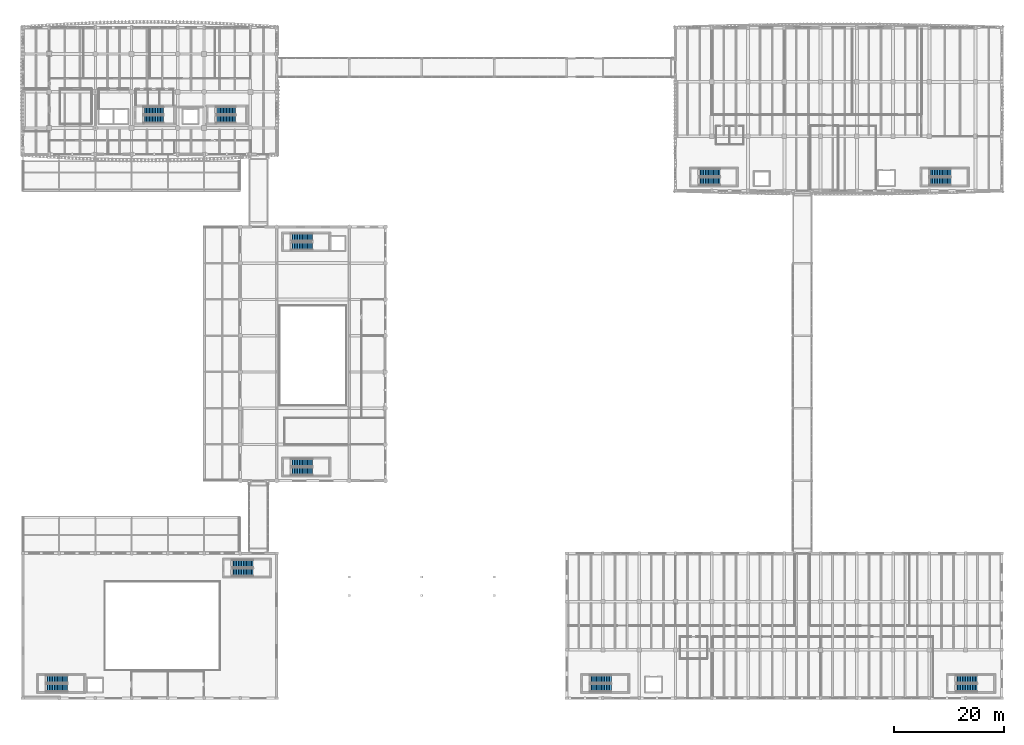
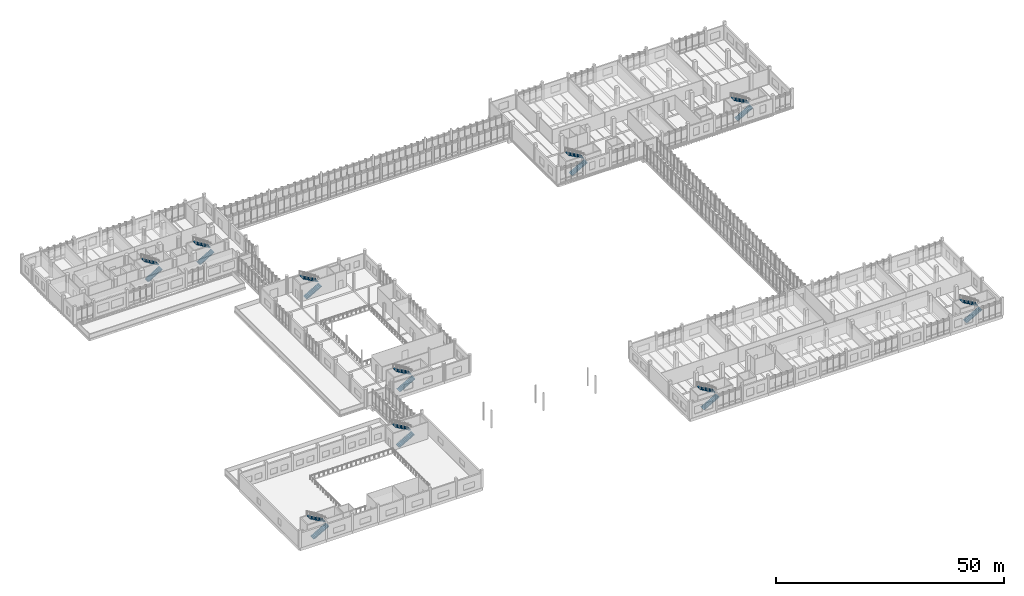
# One storey, part 99 of 125: 20 stair flights, 10 elements without a shape of their own.
"""IFC4 building model written with IfcOpenShell, lengths in metres."""

from ifc_helpers import new_model, si_unit, direction, frame, origin, place, context, subcontext, project, spatial, polyline, outline, extrude, material, type_object, element, aggregate, save


model = new_model("IFC4")

# Units and contexts
model_context = context("Model", 3, precision=1e-05, world=origin(), true_north=direction((0.0, 1.0)))
body_context = subcontext(model_context, "Body", "Model", "MODEL_VIEW")
ifc_project = project(units=[si_unit("LENGTHUNIT", "METRE"), si_unit("AREAUNIT", "SQUARE_METRE"), si_unit("VOLUMEUNIT", "CUBIC_METRE"), si_unit("PLANEANGLEUNIT", "RADIAN"), si_unit("MASSUNIT", "GRAM", prefix="KILO")], contexts=[model_context])

# Site, building, storey
site_placement = place(None, origin())
site = spatial("IfcSite", under=ifc_project, at=site_placement, CompositionType="ELEMENT")
building_placement = place(site_placement, origin())
building = spatial("IfcBuilding", under=site, at=building_placement, Name="Dornvale Research Institute", CompositionType="ELEMENT")
storey_placement = place(building_placement, frame((0.0, 0.0, 5.39990234375)))
storey = spatial("IfcBuildingStorey", under=building, at=storey_placement, Name="L01", CompositionType="ELEMENT", Elevation=5.39990234375)

# Stair, stair flights
ifc_material_1 = material(Name="Concrete f'c 45 MPa (C35/45)", Category="concrete")
stair_type_1 = type_object("IfcStairType", Name="HalfTurnStair_RC", PredefinedType="HALF_TURN_STAIR", material=ifc_material_1)
stair_1_placement = place(storey_placement, origin())
stair_1 = element("IfcStair", 1, at=stair_1_placement, inside=storey, type_object=stair_type_1, Name="L01 Exit stair ST-1", PredefinedType="HALF_TURN_STAIR")
ifc_material_2 = material(Name="Concrete f'c 45 MPa (C35/45)", Category="concrete")
stair_flight_type_1 = type_object("IfcStairFlightType", Name="StraightFlight_RC150", PredefinedType="STRAIGHT", material=ifc_material_2)
stair_flight_1_placement = place(storey_placement, frame((21.949951171875, 105.39990234375, 0.0), z_axis=(0.0, 0.0, 1.0), x_axis=(1.0, 0.0, 0.0)))
stair_flight_1 = element("IfcStairFlight", 2, at=stair_flight_1_placement, type_object=stair_flight_type_1, Name="ST-1 flight 1", NumberOfRisers=14, NumberOfTreads=13, PredefinedType="STRAIGHT", RiserHeight=0.171428571, TreadLength=0.28, context=body_context, shape_type="SweptSolid", body=[
    extrude(outline(polyline([(0.0, 0.0), (0.0, 0.17138671875), (0.280029296875, 0.17138671875), (0.280029296875, 0.3427734375), (0.56005859375, 0.3427734375), (0.56005859375, 0.514404296875), (0.840087890625, 0.514404296875), (0.840087890625, 0.685791015625), (1.1201171875, 0.685791015625), (1.1201171875, 0.857177734375), (1.39990234375, 0.857177734375), (1.39990234375, 1.028564453125), (1.679931640625, 1.028564453125), (1.679931640625, 1.199951171875), (1.9599609375, 1.199951171875), (1.9599609375, 1.371337890625), (2.239990234375, 1.371337890625), (2.239990234375, 1.54296875), (2.52001953125, 1.54296875), (2.52001953125, 1.71435546875), (2.800048828125, 1.71435546875), (2.800048828125, 1.8857421875), (3.080078125, 1.8857421875), (3.080078125, 2.05712890625), (3.360107421875, 2.05712890625), (3.360107421875, 2.228515625), (3.639892578125, 2.228515625), (3.639892578125, 2.39990234375), (3.639892578125, 2.052734375), (0.287109375, 0.0), (0.0, 0.0)])), frame((0.0, 0.699951171875, 0.0), z_axis=(0.0, -1.0, 0.0), x_axis=(1.0, 0.0, 0.0)), (0.0, 0.0, 1.0), 1.39990234375),
])
stair_flight_2_placement = place(storey_placement, frame((25.590087890625, 106.9599609375, 2.400146484375), z_axis=(0.0, 0.0, 1.0), x_axis=(-1.0, 0.0, 0.0)))
stair_flight_2 = element("IfcStairFlight", 3, at=stair_flight_2_placement, type_object=stair_flight_type_1, Name="ST-1 flight 2", NumberOfRisers=14, NumberOfTreads=13, PredefinedType="STRAIGHT", RiserHeight=0.171428571, TreadLength=0.28, context=body_context, shape_type="SweptSolid", body=[
    extrude(outline(polyline([(0.0, 0.0), (0.0, 0.17138671875), (0.280029296875, 0.17138671875), (0.280029296875, 0.3427734375), (0.56005859375, 0.3427734375), (0.56005859375, 0.514404296875), (0.840087890625, 0.514404296875), (0.840087890625, 0.685791015625), (1.1201171875, 0.685791015625), (1.1201171875, 0.857177734375), (1.39990234375, 0.857177734375), (1.39990234375, 1.028564453125), (1.679931640625, 1.028564453125), (1.679931640625, 1.199951171875), (1.9599609375, 1.199951171875), (1.9599609375, 1.371337890625), (2.239990234375, 1.371337890625), (2.239990234375, 1.54296875), (2.52001953125, 1.54296875), (2.52001953125, 1.71435546875), (2.800048828125, 1.71435546875), (2.800048828125, 1.8857421875), (3.080078125, 1.8857421875), (3.080078125, 2.05712890625), (3.360107421875, 2.05712890625), (3.360107421875, 2.228515625), (3.639892578125, 2.228515625), (3.639892578125, 2.39990234375), (3.639892578125, 2.052734375), (0.287109375, 0.0), (0.0, 0.0)])), frame((0.0, 0.699951171875, 0.0), z_axis=(0.0, -1.0, 0.0), x_axis=(1.0, 0.0, 0.0)), (0.0, 0.0, 1.0), 1.39990234375),
])
aggregate(stair_1, [stair_flight_1, stair_flight_2])

stair_2_placement = place(storey_placement, origin())
stair_2 = element("IfcStair", 4, at=stair_2_placement, inside=storey, type_object=stair_type_1, Name="L01 Exit stair ST-2", PredefinedType="HALF_TURN_STAIR")
stair_flight_3_placement = place(storey_placement, frame((35.10009765625, 105.39990234375, 0.0), z_axis=(0.0, 0.0, 1.0), x_axis=(1.0, 0.0, 0.0)))
stair_flight_3 = element("IfcStairFlight", 5, at=stair_flight_3_placement, type_object=stair_flight_type_1, Name="ST-2 flight 1", NumberOfRisers=14, NumberOfTreads=13, PredefinedType="STRAIGHT", RiserHeight=0.171428571, TreadLength=0.28, context=body_context, shape_type="SweptSolid", body=[
    extrude(outline(polyline([(0.0, 0.0), (0.0, 0.17138671875), (0.280029296875, 0.17138671875), (0.280029296875, 0.3427734375), (0.56005859375, 0.3427734375), (0.56005859375, 0.514404296875), (0.840087890625, 0.514404296875), (0.840087890625, 0.685791015625), (1.1201171875, 0.685791015625), (1.1201171875, 0.857177734375), (1.39990234375, 0.857177734375), (1.39990234375, 1.028564453125), (1.679931640625, 1.028564453125), (1.679931640625, 1.199951171875), (1.9599609375, 1.199951171875), (1.9599609375, 1.371337890625), (2.239990234375, 1.371337890625), (2.239990234375, 1.54296875), (2.52001953125, 1.54296875), (2.52001953125, 1.71435546875), (2.800048828125, 1.71435546875), (2.800048828125, 1.8857421875), (3.080078125, 1.8857421875), (3.080078125, 2.05712890625), (3.360107421875, 2.05712890625), (3.360107421875, 2.228515625), (3.639892578125, 2.228515625), (3.639892578125, 2.39990234375), (3.639892578125, 2.052734375), (0.287109375, 0.0), (0.0, 0.0)])), frame((0.0, 0.699951171875, 0.0), z_axis=(0.0, -1.0, 0.0), x_axis=(1.0, 0.0, 0.0)), (0.0, 0.0, 1.0), 1.39990234375),
])
stair_flight_4_placement = place(storey_placement, frame((38.739990234375, 106.9599609375, 2.400146484375), z_axis=(0.0, 0.0, 1.0), x_axis=(-1.0, 0.0, 0.0)))
stair_flight_4 = element("IfcStairFlight", 6, at=stair_flight_4_placement, type_object=stair_flight_type_1, Name="ST-2 flight 2", NumberOfRisers=14, NumberOfTreads=13, PredefinedType="STRAIGHT", RiserHeight=0.171428571, TreadLength=0.28, context=body_context, shape_type="SweptSolid", body=[
    extrude(outline(polyline([(0.0, 0.0), (0.0, 0.17138671875), (0.280029296875, 0.17138671875), (0.280029296875, 0.3427734375), (0.56005859375, 0.3427734375), (0.56005859375, 0.514404296875), (0.840087890625, 0.514404296875), (0.840087890625, 0.685791015625), (1.1201171875, 0.685791015625), (1.1201171875, 0.857177734375), (1.39990234375, 0.857177734375), (1.39990234375, 1.028564453125), (1.679931640625, 1.028564453125), (1.679931640625, 1.199951171875), (1.9599609375, 1.199951171875), (1.9599609375, 1.371337890625), (2.239990234375, 1.371337890625), (2.239990234375, 1.54296875), (2.52001953125, 1.54296875), (2.52001953125, 1.71435546875), (2.800048828125, 1.71435546875), (2.800048828125, 1.8857421875), (3.080078125, 1.8857421875), (3.080078125, 2.05712890625), (3.360107421875, 2.05712890625), (3.360107421875, 2.228515625), (3.639892578125, 2.228515625), (3.639892578125, 2.39990234375), (3.639892578125, 2.052734375), (0.287109375, 0.0), (0.0, 0.0)])), frame((0.0, 0.699951171875, 0.0), z_axis=(0.0, -1.0, 0.0), x_axis=(1.0, 0.0, 0.0)), (0.0, 0.0, 1.0), 1.39990234375),
])
aggregate(stair_2, [stair_flight_3, stair_flight_4])

stair_3_placement = place(storey_placement, origin())
stair_3 = element("IfcStair", 7, at=stair_3_placement, inside=storey, type_object=stair_type_1, Name="L01 Exit stair ST-3", PredefinedType="HALF_TURN_STAIR")
stair_flight_5_placement = place(storey_placement, frame((123.02001953125, 94.110107421875, 0.0), z_axis=(0.0, 0.0, 1.0), x_axis=(1.0, 0.0, 0.0)))
stair_flight_5 = element("IfcStairFlight", 8, at=stair_flight_5_placement, type_object=stair_flight_type_1, Name="ST-3 flight 1", NumberOfRisers=14, NumberOfTreads=13, PredefinedType="STRAIGHT", RiserHeight=0.171428571, TreadLength=0.3, context=body_context, shape_type="SweptSolid", body=[
    extrude(outline(polyline([(0.0, 0.0), (0.0, 0.17138671875), (0.300048828125, 0.17138671875), (0.300048828125, 0.3427734375), (0.60009765625, 0.3427734375), (0.60009765625, 0.514404296875), (0.89990234375, 0.514404296875), (0.89990234375, 0.685791015625), (1.199951171875, 0.685791015625), (1.199951171875, 0.857177734375), (1.5, 0.857177734375), (1.5, 1.028564453125), (1.800048828125, 1.028564453125), (1.800048828125, 1.199951171875), (2.10009765625, 1.199951171875), (2.10009765625, 1.371337890625), (2.39990234375, 1.371337890625), (2.39990234375, 1.54296875), (2.699951171875, 1.54296875), (2.699951171875, 1.71435546875), (3.0, 1.71435546875), (3.0, 1.8857421875), (3.300048828125, 1.8857421875), (3.300048828125, 2.05712890625), (3.60009765625, 2.05712890625), (3.60009765625, 2.228515625), (3.89990234375, 2.228515625), (3.89990234375, 2.39990234375), (3.89990234375, 2.055908203125), (0.30224609375, 0.0), (0.0, 0.0)])), frame((0.0, 0.7099609375, 0.0), z_axis=(0.0, -1.0, 0.0), x_axis=(1.0, 0.0, 0.0)), (0.0, 0.0, 1.0), 1.419921875),
])
stair_flight_6_placement = place(storey_placement, frame((126.919921875, 95.68994140625, 2.400146484375), z_axis=(0.0, 0.0, 1.0), x_axis=(-1.0, 0.0, 0.0)))
stair_flight_6 = element("IfcStairFlight", 9, at=stair_flight_6_placement, type_object=stair_flight_type_1, Name="ST-3 flight 2", NumberOfRisers=14, NumberOfTreads=13, PredefinedType="STRAIGHT", RiserHeight=0.171428571, TreadLength=0.3, context=body_context, shape_type="SweptSolid", body=[
    extrude(outline(polyline([(0.0, 0.0), (0.0, 0.17138671875), (0.300048828125, 0.17138671875), (0.300048828125, 0.3427734375), (0.60009765625, 0.3427734375), (0.60009765625, 0.514404296875), (0.89990234375, 0.514404296875), (0.89990234375, 0.685791015625), (1.199951171875, 0.685791015625), (1.199951171875, 0.857177734375), (1.5, 0.857177734375), (1.5, 1.028564453125), (1.800048828125, 1.028564453125), (1.800048828125, 1.199951171875), (2.10009765625, 1.199951171875), (2.10009765625, 1.371337890625), (2.39990234375, 1.371337890625), (2.39990234375, 1.54296875), (2.699951171875, 1.54296875), (2.699951171875, 1.71435546875), (3.0, 1.71435546875), (3.0, 1.8857421875), (3.300048828125, 1.8857421875), (3.300048828125, 2.05712890625), (3.60009765625, 2.05712890625), (3.60009765625, 2.228515625), (3.89990234375, 2.228515625), (3.89990234375, 2.39990234375), (3.89990234375, 2.055908203125), (0.30224609375, 0.0), (0.0, 0.0)])), frame((0.0, 0.7099609375, 0.0), z_axis=(0.0, -1.0, 0.0), x_axis=(1.0, 0.0, 0.0)), (0.0, 0.0, 1.0), 1.419921875),
])
aggregate(stair_3, [stair_flight_5, stair_flight_6])

stair_4_placement = place(storey_placement, origin())
stair_4 = element("IfcStair", 10, at=stair_4_placement, inside=storey, type_object=stair_type_1, Name="L01 Exit stair ST-4", PredefinedType="HALF_TURN_STAIR")
stair_flight_7_placement = place(storey_placement, frame((165.02001953125, 94.110107421875, 0.0), z_axis=(0.0, 0.0, 1.0), x_axis=(1.0, 0.0, 0.0)))
stair_flight_7 = element("IfcStairFlight", 11, at=stair_flight_7_placement, type_object=stair_flight_type_1, Name="ST-4 flight 1", NumberOfRisers=14, NumberOfTreads=13, PredefinedType="STRAIGHT", RiserHeight=0.171428571, TreadLength=0.3, context=body_context, shape_type="SweptSolid", body=[
    extrude(outline(polyline([(0.0, 0.0), (0.0, 0.17138671875), (0.300048828125, 0.17138671875), (0.300048828125, 0.3427734375), (0.60009765625, 0.3427734375), (0.60009765625, 0.514404296875), (0.89990234375, 0.514404296875), (0.89990234375, 0.685791015625), (1.199951171875, 0.685791015625), (1.199951171875, 0.857177734375), (1.5, 0.857177734375), (1.5, 1.028564453125), (1.800048828125, 1.028564453125), (1.800048828125, 1.199951171875), (2.10009765625, 1.199951171875), (2.10009765625, 1.371337890625), (2.39990234375, 1.371337890625), (2.39990234375, 1.54296875), (2.699951171875, 1.54296875), (2.699951171875, 1.71435546875), (3.0, 1.71435546875), (3.0, 1.8857421875), (3.300048828125, 1.8857421875), (3.300048828125, 2.05712890625), (3.60009765625, 2.05712890625), (3.60009765625, 2.228515625), (3.89990234375, 2.228515625), (3.89990234375, 2.39990234375), (3.89990234375, 2.055908203125), (0.30224609375, 0.0), (0.0, 0.0)])), frame((0.0, 0.7099609375, 0.0), z_axis=(0.0, -1.0, 0.0), x_axis=(1.0, 0.0, 0.0)), (0.0, 0.0, 1.0), 1.419921875),
])
stair_flight_8_placement = place(storey_placement, frame((168.919921875, 95.68994140625, 2.400146484375), z_axis=(0.0, 0.0, 1.0), x_axis=(-1.0, 0.0, 0.0)))
stair_flight_8 = element("IfcStairFlight", 12, at=stair_flight_8_placement, type_object=stair_flight_type_1, Name="ST-4 flight 2", NumberOfRisers=14, NumberOfTreads=13, PredefinedType="STRAIGHT", RiserHeight=0.171428571, TreadLength=0.3, context=body_context, shape_type="SweptSolid", body=[
    extrude(outline(polyline([(0.0, 0.0), (0.0, 0.17138671875), (0.300048828125, 0.17138671875), (0.300048828125, 0.3427734375), (0.60009765625, 0.3427734375), (0.60009765625, 0.514404296875), (0.89990234375, 0.514404296875), (0.89990234375, 0.685791015625), (1.199951171875, 0.685791015625), (1.199951171875, 0.857177734375), (1.5, 0.857177734375), (1.5, 1.028564453125), (1.800048828125, 1.028564453125), (1.800048828125, 1.199951171875), (2.10009765625, 1.199951171875), (2.10009765625, 1.371337890625), (2.39990234375, 1.371337890625), (2.39990234375, 1.54296875), (2.699951171875, 1.54296875), (2.699951171875, 1.71435546875), (3.0, 1.71435546875), (3.0, 1.8857421875), (3.300048828125, 1.8857421875), (3.300048828125, 2.05712890625), (3.60009765625, 2.05712890625), (3.60009765625, 2.228515625), (3.89990234375, 2.228515625), (3.89990234375, 2.39990234375), (3.89990234375, 2.055908203125), (0.30224609375, 0.0), (0.0, 0.0)])), frame((0.0, 0.7099609375, 0.0), z_axis=(0.0, -1.0, 0.0), x_axis=(1.0, 0.0, 0.0)), (0.0, 0.0, 1.0), 1.419921875),
])
aggregate(stair_4, [stair_flight_7, stair_flight_8])

stair_5_placement = place(storey_placement, origin())
stair_5 = element("IfcStair", 13, at=stair_5_placement, inside=storey, type_object=stair_type_1, Name="L01 Exit stair ST-5", PredefinedType="HALF_TURN_STAIR")
stair_flight_9_placement = place(storey_placement, frame((103.219970703125, 1.909912109375, 0.0), z_axis=(0.0, 0.0, 1.0), x_axis=(1.0, 0.0, 0.0)))
stair_flight_9 = element("IfcStairFlight", 14, at=stair_flight_9_placement, type_object=stair_flight_type_1, Name="ST-5 flight 1", NumberOfRisers=14, NumberOfTreads=13, PredefinedType="STRAIGHT", RiserHeight=0.171428571, TreadLength=0.3, context=body_context, shape_type="SweptSolid", body=[
    extrude(outline(polyline([(0.0, 0.0), (0.0, 0.17138671875), (0.300048828125, 0.17138671875), (0.300048828125, 0.3427734375), (0.60009765625, 0.3427734375), (0.60009765625, 0.514404296875), (0.89990234375, 0.514404296875), (0.89990234375, 0.685791015625), (1.199951171875, 0.685791015625), (1.199951171875, 0.857177734375), (1.5, 0.857177734375), (1.5, 1.028564453125), (1.800048828125, 1.028564453125), (1.800048828125, 1.199951171875), (2.10009765625, 1.199951171875), (2.10009765625, 1.371337890625), (2.39990234375, 1.371337890625), (2.39990234375, 1.54296875), (2.699951171875, 1.54296875), (2.699951171875, 1.71435546875), (3.0, 1.71435546875), (3.0, 1.8857421875), (3.300048828125, 1.8857421875), (3.300048828125, 2.05712890625), (3.60009765625, 2.05712890625), (3.60009765625, 2.228515625), (3.89990234375, 2.228515625), (3.89990234375, 2.39990234375), (3.89990234375, 2.055908203125), (0.30224609375, 0.0), (0.0, 0.0)])), frame((0.0, 0.7099609375, 0.0), z_axis=(0.0, -1.0, 0.0), x_axis=(1.0, 0.0, 0.0)), (0.0, 0.0, 1.0), 1.419921875),
])
stair_flight_10_placement = place(storey_placement, frame((107.1201171875, 3.489990234375, 2.400146484375), z_axis=(0.0, 0.0, 1.0), x_axis=(-1.0, 0.0, 0.0)))
stair_flight_10 = element("IfcStairFlight", 15, at=stair_flight_10_placement, type_object=stair_flight_type_1, Name="ST-5 flight 2", NumberOfRisers=14, NumberOfTreads=13, PredefinedType="STRAIGHT", RiserHeight=0.171428571, TreadLength=0.3, context=body_context, shape_type="SweptSolid", body=[
    extrude(outline(polyline([(0.0, 0.0), (0.0, 0.17138671875), (0.300048828125, 0.17138671875), (0.300048828125, 0.3427734375), (0.60009765625, 0.3427734375), (0.60009765625, 0.514404296875), (0.89990234375, 0.514404296875), (0.89990234375, 0.685791015625), (1.199951171875, 0.685791015625), (1.199951171875, 0.857177734375), (1.5, 0.857177734375), (1.5, 1.028564453125), (1.800048828125, 1.028564453125), (1.800048828125, 1.199951171875), (2.10009765625, 1.199951171875), (2.10009765625, 1.371337890625), (2.39990234375, 1.371337890625), (2.39990234375, 1.54296875), (2.699951171875, 1.54296875), (2.699951171875, 1.71435546875), (3.0, 1.71435546875), (3.0, 1.8857421875), (3.300048828125, 1.8857421875), (3.300048828125, 2.05712890625), (3.60009765625, 2.05712890625), (3.60009765625, 2.228515625), (3.89990234375, 2.228515625), (3.89990234375, 2.39990234375), (3.89990234375, 2.055908203125), (0.30224609375, 0.0), (0.0, 0.0)])), frame((0.0, 0.7099609375, 0.0), z_axis=(0.0, -1.0, 0.0), x_axis=(1.0, 0.0, 0.0)), (0.0, 0.0, 1.0), 1.419921875),
])
aggregate(stair_5, [stair_flight_9, stair_flight_10])

stair_6_placement = place(storey_placement, origin())
stair_6 = element("IfcStair", 16, at=stair_6_placement, inside=storey, type_object=stair_type_1, Name="L01 Exit stair ST-6", PredefinedType="HALF_TURN_STAIR")
stair_flight_11_placement = place(storey_placement, frame((169.820068359375, 1.909912109375, 0.0), z_axis=(0.0, 0.0, 1.0), x_axis=(1.0, 0.0, 0.0)))
stair_flight_11 = element("IfcStairFlight", 17, at=stair_flight_11_placement, type_object=stair_flight_type_1, Name="ST-6 flight 1", NumberOfRisers=14, NumberOfTreads=13, PredefinedType="STRAIGHT", RiserHeight=0.171428571, TreadLength=0.3, context=body_context, shape_type="SweptSolid", body=[
    extrude(outline(polyline([(0.0, 0.0), (0.0, 0.17138671875), (0.300048828125, 0.17138671875), (0.300048828125, 0.3427734375), (0.60009765625, 0.3427734375), (0.60009765625, 0.514404296875), (0.89990234375, 0.514404296875), (0.89990234375, 0.685791015625), (1.199951171875, 0.685791015625), (1.199951171875, 0.857177734375), (1.5, 0.857177734375), (1.5, 1.028564453125), (1.800048828125, 1.028564453125), (1.800048828125, 1.199951171875), (2.10009765625, 1.199951171875), (2.10009765625, 1.371337890625), (2.39990234375, 1.371337890625), (2.39990234375, 1.54296875), (2.699951171875, 1.54296875), (2.699951171875, 1.71435546875), (3.0, 1.71435546875), (3.0, 1.8857421875), (3.300048828125, 1.8857421875), (3.300048828125, 2.05712890625), (3.60009765625, 2.05712890625), (3.60009765625, 2.228515625), (3.89990234375, 2.228515625), (3.89990234375, 2.39990234375), (3.89990234375, 2.055908203125), (0.30224609375, 0.0), (0.0, 0.0)])), frame((0.0, 0.7099609375, 0.0), z_axis=(0.0, -1.0, 0.0), x_axis=(1.0, 0.0, 0.0)), (0.0, 0.0, 1.0), 1.419921875),
])
stair_flight_12_placement = place(storey_placement, frame((173.719970703125, 3.489990234375, 2.400146484375), z_axis=(0.0, 0.0, 1.0), x_axis=(-1.0, 0.0, 0.0)))
stair_flight_12 = element("IfcStairFlight", 18, at=stair_flight_12_placement, type_object=stair_flight_type_1, Name="ST-6 flight 2", NumberOfRisers=14, NumberOfTreads=13, PredefinedType="STRAIGHT", RiserHeight=0.171428571, TreadLength=0.3, context=body_context, shape_type="SweptSolid", body=[
    extrude(outline(polyline([(0.0, 0.0), (0.0, 0.17138671875), (0.300048828125, 0.17138671875), (0.300048828125, 0.3427734375), (0.60009765625, 0.3427734375), (0.60009765625, 0.514404296875), (0.89990234375, 0.514404296875), (0.89990234375, 0.685791015625), (1.199951171875, 0.685791015625), (1.199951171875, 0.857177734375), (1.5, 0.857177734375), (1.5, 1.028564453125), (1.800048828125, 1.028564453125), (1.800048828125, 1.199951171875), (2.10009765625, 1.199951171875), (2.10009765625, 1.371337890625), (2.39990234375, 1.371337890625), (2.39990234375, 1.54296875), (2.699951171875, 1.54296875), (2.699951171875, 1.71435546875), (3.0, 1.71435546875), (3.0, 1.8857421875), (3.300048828125, 1.8857421875), (3.300048828125, 2.05712890625), (3.60009765625, 2.05712890625), (3.60009765625, 2.228515625), (3.89990234375, 2.228515625), (3.89990234375, 2.39990234375), (3.89990234375, 2.055908203125), (0.30224609375, 0.0), (0.0, 0.0)])), frame((0.0, 0.7099609375, 0.0), z_axis=(0.0, -1.0, 0.0), x_axis=(1.0, 0.0, 0.0)), (0.0, 0.0, 1.0), 1.419921875),
])
aggregate(stair_6, [stair_flight_11, stair_flight_12])

ifc_material_3 = material(Name="Concrete f'c 45 MPa (C35/45)", Category="concrete")
stair_type_2 = type_object("IfcStairType", Name="HalfTurnStair_RC_Secondary", PredefinedType="HALF_TURN_STAIR", material=ifc_material_3)
stair_7_placement = place(storey_placement, origin())
stair_7 = element("IfcStair", 19, at=stair_7_placement, inside=storey, type_object=stair_type_2, Name="L01 Exit stair ST-7", PredefinedType="HALF_TURN_STAIR")
ifc_material_4 = material(Name="Concrete f'c 45 MPa (C35/45)", Category="concrete")
stair_flight_type_2 = type_object("IfcStairFlightType", Name="StraightFlight_RC160", PredefinedType="STRAIGHT", material=ifc_material_4)
stair_flight_13_placement = place(storey_placement, frame((48.820068359375, 41.31005859375, 0.0), z_axis=(0.0, 0.0, 1.0), x_axis=(1.0, 0.0, 0.0)))
stair_flight_13 = element("IfcStairFlight", 20, at=stair_flight_13_placement, type_object=stair_flight_type_2, Name="ST-7 flight 1", NumberOfRisers=14, NumberOfTreads=13, PredefinedType="STRAIGHT", RiserHeight=0.171428571, TreadLength=0.3, context=body_context, shape_type="SweptSolid", body=[
    extrude(outline(polyline([(0.0, 0.0), (0.0, 0.17138671875), (0.300048828125, 0.17138671875), (0.300048828125, 0.3427734375), (0.60009765625, 0.3427734375), (0.60009765625, 0.514404296875), (0.89990234375, 0.514404296875), (0.89990234375, 0.685791015625), (1.199951171875, 0.685791015625), (1.199951171875, 0.857177734375), (1.5, 0.857177734375), (1.5, 1.028564453125), (1.800048828125, 1.028564453125), (1.800048828125, 1.199951171875), (2.10009765625, 1.199951171875), (2.10009765625, 1.371337890625), (2.39990234375, 1.371337890625), (2.39990234375, 1.54296875), (2.699951171875, 1.54296875), (2.699951171875, 1.71435546875), (3.0, 1.71435546875), (3.0, 1.8857421875), (3.300048828125, 1.8857421875), (3.300048828125, 2.05712890625), (3.60009765625, 2.05712890625), (3.60009765625, 2.228515625), (3.89990234375, 2.228515625), (3.89990234375, 2.39990234375), (3.89990234375, 2.04443359375), (0.322265625, 0.0), (0.0, 0.0)])), frame((0.0, 0.7099609375, 0.0), z_axis=(0.0, -1.0, 0.0), x_axis=(1.0, 0.0, 0.0)), (0.0, 0.0, 1.0), 1.419921875),
])
stair_flight_14_placement = place(storey_placement, frame((52.719970703125, 42.889892578125, 2.400146484375), z_axis=(0.0, 0.0, 1.0), x_axis=(-1.0, 0.0, 0.0)))
stair_flight_14 = element("IfcStairFlight", 21, at=stair_flight_14_placement, type_object=stair_flight_type_2, Name="ST-7 flight 2", NumberOfRisers=14, NumberOfTreads=13, PredefinedType="STRAIGHT", RiserHeight=0.171428571, TreadLength=0.3, context=body_context, shape_type="SweptSolid", body=[
    extrude(outline(polyline([(0.0, 0.0), (0.0, 0.17138671875), (0.300048828125, 0.17138671875), (0.300048828125, 0.3427734375), (0.60009765625, 0.3427734375), (0.60009765625, 0.514404296875), (0.89990234375, 0.514404296875), (0.89990234375, 0.685791015625), (1.199951171875, 0.685791015625), (1.199951171875, 0.857177734375), (1.5, 0.857177734375), (1.5, 1.028564453125), (1.800048828125, 1.028564453125), (1.800048828125, 1.199951171875), (2.10009765625, 1.199951171875), (2.10009765625, 1.371337890625), (2.39990234375, 1.371337890625), (2.39990234375, 1.54296875), (2.699951171875, 1.54296875), (2.699951171875, 1.71435546875), (3.0, 1.71435546875), (3.0, 1.8857421875), (3.300048828125, 1.8857421875), (3.300048828125, 2.05712890625), (3.60009765625, 2.05712890625), (3.60009765625, 2.228515625), (3.89990234375, 2.228515625), (3.89990234375, 2.39990234375), (3.89990234375, 2.04443359375), (0.322265625, 0.0), (0.0, 0.0)])), frame((0.0, 0.7099609375, 0.0), z_axis=(0.0, -1.0, 0.0), x_axis=(1.0, 0.0, 0.0)), (0.0, 0.0, 1.0), 1.419921875),
])
aggregate(stair_7, [stair_flight_13, stair_flight_14])

stair_8_placement = place(storey_placement, origin())
stair_8 = element("IfcStair", 22, at=stair_8_placement, inside=storey, type_object=stair_type_2, Name="L01 Exit stair ST-8", PredefinedType="HALF_TURN_STAIR")
stair_flight_15_placement = place(storey_placement, frame((48.820068359375, 82.31005859375, 0.0), z_axis=(0.0, 0.0, 1.0), x_axis=(1.0, 0.0, 0.0)))
stair_flight_15 = element("IfcStairFlight", 23, at=stair_flight_15_placement, type_object=stair_flight_type_2, Name="ST-8 flight 1", NumberOfRisers=14, NumberOfTreads=13, PredefinedType="STRAIGHT", RiserHeight=0.171428571, TreadLength=0.3, context=body_context, shape_type="SweptSolid", body=[
    extrude(outline(polyline([(0.0, 0.0), (0.0, 0.17138671875), (0.300048828125, 0.17138671875), (0.300048828125, 0.3427734375), (0.60009765625, 0.3427734375), (0.60009765625, 0.514404296875), (0.89990234375, 0.514404296875), (0.89990234375, 0.685791015625), (1.199951171875, 0.685791015625), (1.199951171875, 0.857177734375), (1.5, 0.857177734375), (1.5, 1.028564453125), (1.800048828125, 1.028564453125), (1.800048828125, 1.199951171875), (2.10009765625, 1.199951171875), (2.10009765625, 1.371337890625), (2.39990234375, 1.371337890625), (2.39990234375, 1.54296875), (2.699951171875, 1.54296875), (2.699951171875, 1.71435546875), (3.0, 1.71435546875), (3.0, 1.8857421875), (3.300048828125, 1.8857421875), (3.300048828125, 2.05712890625), (3.60009765625, 2.05712890625), (3.60009765625, 2.228515625), (3.89990234375, 2.228515625), (3.89990234375, 2.39990234375), (3.89990234375, 2.04443359375), (0.322265625, 0.0), (0.0, 0.0)])), frame((0.0, 0.7099609375, 0.0), z_axis=(0.0, -1.0, 0.0), x_axis=(1.0, 0.0, 0.0)), (0.0, 0.0, 1.0), 1.419921875),
])
stair_flight_16_placement = place(storey_placement, frame((52.719970703125, 83.889892578125, 2.400146484375), z_axis=(0.0, 0.0, 1.0), x_axis=(-1.0, 0.0, 0.0)))
stair_flight_16 = element("IfcStairFlight", 24, at=stair_flight_16_placement, type_object=stair_flight_type_2, Name="ST-8 flight 2", NumberOfRisers=14, NumberOfTreads=13, PredefinedType="STRAIGHT", RiserHeight=0.171428571, TreadLength=0.3, context=body_context, shape_type="SweptSolid", body=[
    extrude(outline(polyline([(0.0, 0.0), (0.0, 0.17138671875), (0.300048828125, 0.17138671875), (0.300048828125, 0.3427734375), (0.60009765625, 0.3427734375), (0.60009765625, 0.514404296875), (0.89990234375, 0.514404296875), (0.89990234375, 0.685791015625), (1.199951171875, 0.685791015625), (1.199951171875, 0.857177734375), (1.5, 0.857177734375), (1.5, 1.028564453125), (1.800048828125, 1.028564453125), (1.800048828125, 1.199951171875), (2.10009765625, 1.199951171875), (2.10009765625, 1.371337890625), (2.39990234375, 1.371337890625), (2.39990234375, 1.54296875), (2.699951171875, 1.54296875), (2.699951171875, 1.71435546875), (3.0, 1.71435546875), (3.0, 1.8857421875), (3.300048828125, 1.8857421875), (3.300048828125, 2.05712890625), (3.60009765625, 2.05712890625), (3.60009765625, 2.228515625), (3.89990234375, 2.228515625), (3.89990234375, 2.39990234375), (3.89990234375, 2.04443359375), (0.322265625, 0.0), (0.0, 0.0)])), frame((0.0, 0.7099609375, 0.0), z_axis=(0.0, -1.0, 0.0), x_axis=(1.0, 0.0, 0.0)), (0.0, 0.0, 1.0), 1.419921875),
])
aggregate(stair_8, [stair_flight_15, stair_flight_16])

stair_9_placement = place(storey_placement, origin())
stair_9 = element("IfcStair", 25, at=stair_9_placement, inside=storey, type_object=stair_type_2, Name="L01 Exit stair ST-9", PredefinedType="HALF_TURN_STAIR")
stair_flight_17_placement = place(storey_placement, frame((4.219970703125, 1.909912109375, 0.0), z_axis=(0.0, 0.0, 1.0), x_axis=(1.0, 0.0, 0.0)))
stair_flight_17 = element("IfcStairFlight", 26, at=stair_flight_17_placement, type_object=stair_flight_type_2, Name="ST-9 flight 1", NumberOfRisers=14, NumberOfTreads=13, PredefinedType="STRAIGHT", RiserHeight=0.171428571, TreadLength=0.3, context=body_context, shape_type="SweptSolid", body=[
    extrude(outline(polyline([(0.0, 0.0), (0.0, 0.17138671875), (0.300048828125, 0.17138671875), (0.300048828125, 0.3427734375), (0.60009765625, 0.3427734375), (0.60009765625, 0.514404296875), (0.89990234375, 0.514404296875), (0.89990234375, 0.685791015625), (1.199951171875, 0.685791015625), (1.199951171875, 0.857177734375), (1.5, 0.857177734375), (1.5, 1.028564453125), (1.800048828125, 1.028564453125), (1.800048828125, 1.199951171875), (2.10009765625, 1.199951171875), (2.10009765625, 1.371337890625), (2.39990234375, 1.371337890625), (2.39990234375, 1.54296875), (2.699951171875, 1.54296875), (2.699951171875, 1.71435546875), (3.0, 1.71435546875), (3.0, 1.8857421875), (3.300048828125, 1.8857421875), (3.300048828125, 2.05712890625), (3.60009765625, 2.05712890625), (3.60009765625, 2.228515625), (3.89990234375, 2.228515625), (3.89990234375, 2.39990234375), (3.89990234375, 2.04443359375), (0.322265625, 0.0), (0.0, 0.0)])), frame((0.0, 0.7099609375, 0.0), z_axis=(0.0, -1.0, 0.0), x_axis=(1.0, 0.0, 0.0)), (0.0, 0.0, 1.0), 1.419921875),
])
stair_flight_18_placement = place(storey_placement, frame((8.1201171875, 3.489990234375, 2.400146484375), z_axis=(0.0, 0.0, 1.0), x_axis=(-1.0, 0.0, 0.0)))
stair_flight_18 = element("IfcStairFlight", 27, at=stair_flight_18_placement, type_object=stair_flight_type_2, Name="ST-9 flight 2", NumberOfRisers=14, NumberOfTreads=13, PredefinedType="STRAIGHT", RiserHeight=0.171428571, TreadLength=0.3, context=body_context, shape_type="SweptSolid", body=[
    extrude(outline(polyline([(0.0, 0.0), (0.0, 0.17138671875), (0.300048828125, 0.17138671875), (0.300048828125, 0.3427734375), (0.60009765625, 0.3427734375), (0.60009765625, 0.514404296875), (0.89990234375, 0.514404296875), (0.89990234375, 0.685791015625), (1.199951171875, 0.685791015625), (1.199951171875, 0.857177734375), (1.5, 0.857177734375), (1.5, 1.028564453125), (1.800048828125, 1.028564453125), (1.800048828125, 1.199951171875), (2.10009765625, 1.199951171875), (2.10009765625, 1.371337890625), (2.39990234375, 1.371337890625), (2.39990234375, 1.54296875), (2.699951171875, 1.54296875), (2.699951171875, 1.71435546875), (3.0, 1.71435546875), (3.0, 1.8857421875), (3.300048828125, 1.8857421875), (3.300048828125, 2.05712890625), (3.60009765625, 2.05712890625), (3.60009765625, 2.228515625), (3.89990234375, 2.228515625), (3.89990234375, 2.39990234375), (3.89990234375, 2.04443359375), (0.322265625, 0.0), (0.0, 0.0)])), frame((0.0, 0.7099609375, 0.0), z_axis=(0.0, -1.0, 0.0), x_axis=(1.0, 0.0, 0.0)), (0.0, 0.0, 1.0), 1.419921875),
])
aggregate(stair_9, [stair_flight_17, stair_flight_18])

stair_10_placement = place(storey_placement, origin())
stair_10 = element("IfcStair", 28, at=stair_10_placement, inside=storey, type_object=stair_type_2, Name="L01 Exit stair ST-10", PredefinedType="HALF_TURN_STAIR")
stair_flight_19_placement = place(storey_placement, frame((38.02001953125, 22.909912109375, 0.0), z_axis=(0.0, 0.0, 1.0), x_axis=(1.0, 0.0, 0.0)))
stair_flight_19 = element("IfcStairFlight", 29, at=stair_flight_19_placement, type_object=stair_flight_type_2, Name="ST-10 flight 1", NumberOfRisers=14, NumberOfTreads=13, PredefinedType="STRAIGHT", RiserHeight=0.171428571, TreadLength=0.3, context=body_context, shape_type="SweptSolid", body=[
    extrude(outline(polyline([(0.0, 0.0), (0.0, 0.17138671875), (0.300048828125, 0.17138671875), (0.300048828125, 0.3427734375), (0.60009765625, 0.3427734375), (0.60009765625, 0.514404296875), (0.89990234375, 0.514404296875), (0.89990234375, 0.685791015625), (1.199951171875, 0.685791015625), (1.199951171875, 0.857177734375), (1.5, 0.857177734375), (1.5, 1.028564453125), (1.800048828125, 1.028564453125), (1.800048828125, 1.199951171875), (2.10009765625, 1.199951171875), (2.10009765625, 1.371337890625), (2.39990234375, 1.371337890625), (2.39990234375, 1.54296875), (2.699951171875, 1.54296875), (2.699951171875, 1.71435546875), (3.0, 1.71435546875), (3.0, 1.8857421875), (3.300048828125, 1.8857421875), (3.300048828125, 2.05712890625), (3.60009765625, 2.05712890625), (3.60009765625, 2.228515625), (3.89990234375, 2.228515625), (3.89990234375, 2.39990234375), (3.89990234375, 2.04443359375), (0.322265625, 0.0), (0.0, 0.0)])), frame((0.0, 0.7099609375, 0.0), z_axis=(0.0, -1.0, 0.0), x_axis=(1.0, 0.0, 0.0)), (0.0, 0.0, 1.0), 1.419921875),
])
stair_flight_20_placement = place(storey_placement, frame((41.919921875, 24.489990234375, 2.400146484375), z_axis=(0.0, 0.0, 1.0), x_axis=(-1.0, 0.0, 0.0)))
stair_flight_20 = element("IfcStairFlight", 30, at=stair_flight_20_placement, type_object=stair_flight_type_2, Name="ST-10 flight 2", NumberOfRisers=14, NumberOfTreads=13, PredefinedType="STRAIGHT", RiserHeight=0.171428571, TreadLength=0.3, context=body_context, shape_type="SweptSolid", body=[
    extrude(outline(polyline([(0.0, 0.0), (0.0, 0.17138671875), (0.300048828125, 0.17138671875), (0.300048828125, 0.3427734375), (0.60009765625, 0.3427734375), (0.60009765625, 0.514404296875), (0.89990234375, 0.514404296875), (0.89990234375, 0.685791015625), (1.199951171875, 0.685791015625), (1.199951171875, 0.857177734375), (1.5, 0.857177734375), (1.5, 1.028564453125), (1.800048828125, 1.028564453125), (1.800048828125, 1.199951171875), (2.10009765625, 1.199951171875), (2.10009765625, 1.371337890625), (2.39990234375, 1.371337890625), (2.39990234375, 1.54296875), (2.699951171875, 1.54296875), (2.699951171875, 1.71435546875), (3.0, 1.71435546875), (3.0, 1.8857421875), (3.300048828125, 1.8857421875), (3.300048828125, 2.05712890625), (3.60009765625, 2.05712890625), (3.60009765625, 2.228515625), (3.89990234375, 2.228515625), (3.89990234375, 2.39990234375), (3.89990234375, 2.04443359375), (0.322265625, 0.0), (0.0, 0.0)])), frame((0.0, 0.7099609375, 0.0), z_axis=(0.0, -1.0, 0.0), x_axis=(1.0, 0.0, 0.0)), (0.0, 0.0, 1.0), 1.419921875),
])
aggregate(stair_10, [stair_flight_19, stair_flight_20])

save(model, "model.ifc")
